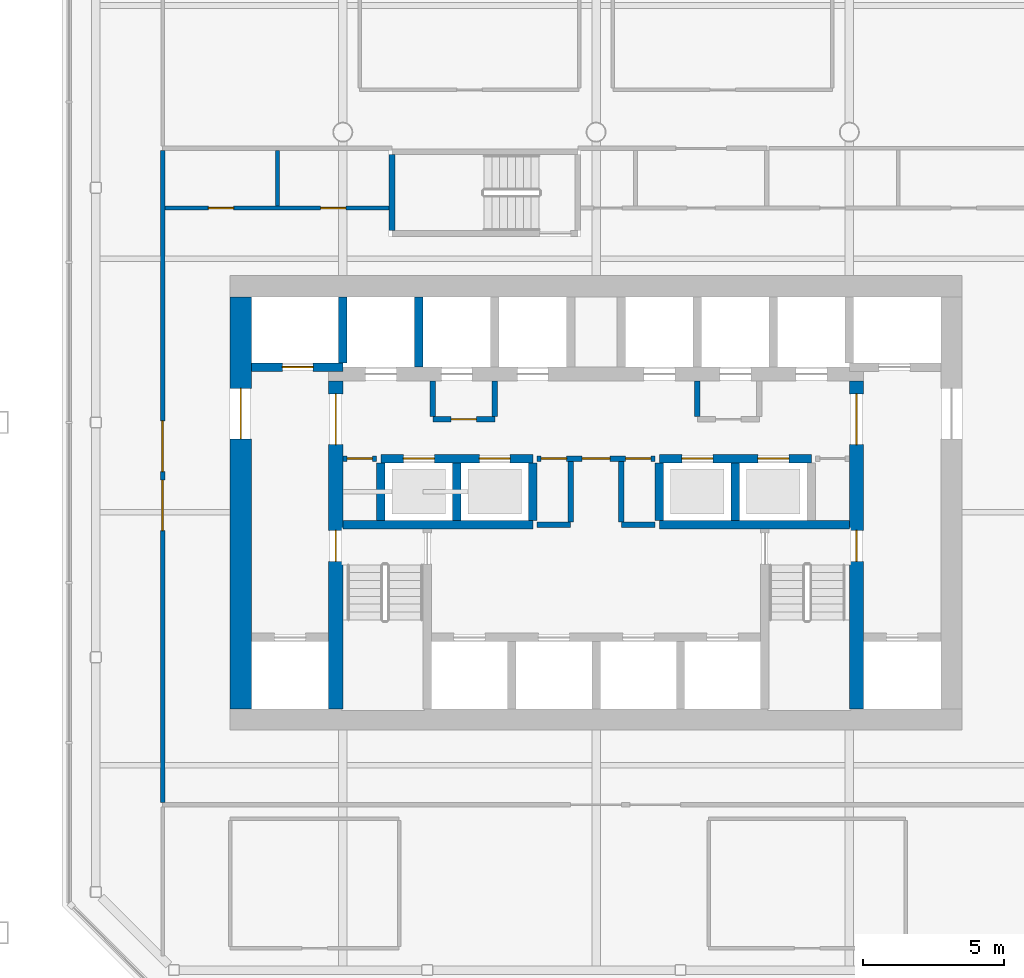
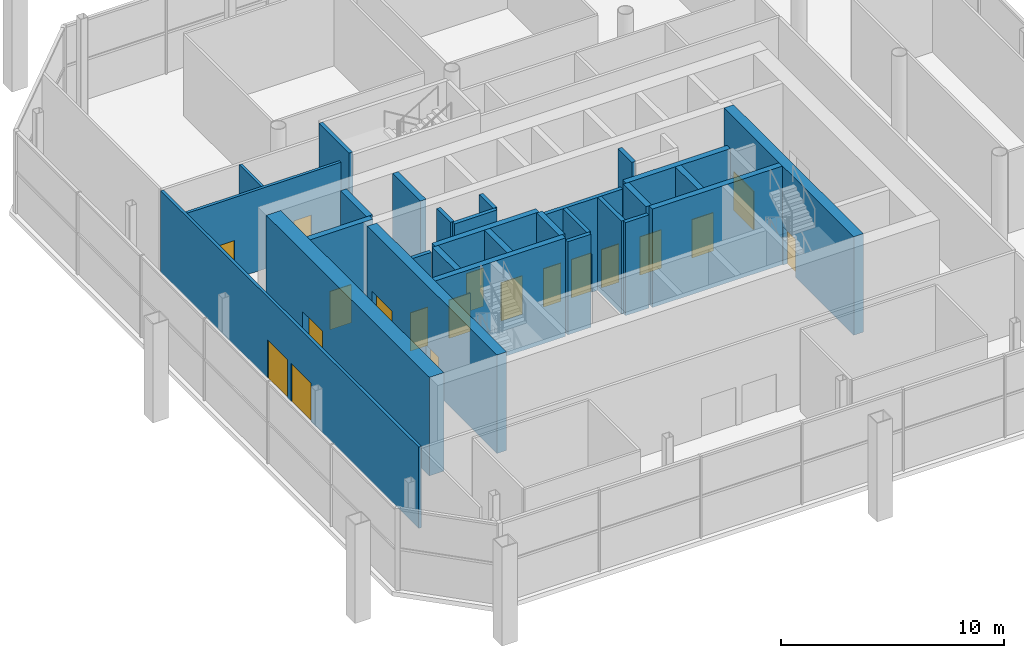
# One storey, part 8 of 12: 29 walls, 19 doors, 19 openings.
"""IFC4 building model written with IfcOpenShell, lengths in metres."""

from ifc_helpers import new_model, si_unit, direction, frame, frame_2d, origin, place, context, subcontext, project, spatial, rectangle, extrude, material, layer, layer_set, type_object, element, fill, save


model = new_model("IFC4")

# Units and contexts
model_context = context("Model", 3, precision=1e-05, world=origin(), true_north=direction((0.0, 1.0)))
body_context = subcontext(model_context, "Body", "Model", "MODEL_VIEW")
ifc_project = project(units=[si_unit("LENGTHUNIT", "METRE"), si_unit("AREAUNIT", "SQUARE_METRE"), si_unit("VOLUMEUNIT", "CUBIC_METRE"), si_unit("PLANEANGLEUNIT", "RADIAN"), si_unit("MASSUNIT", "GRAM", prefix="KILO")], contexts=[model_context])

# Site, building, storey
site_placement = place(None, origin())
site = spatial("IfcSite", under=ifc_project, at=site_placement, CompositionType="ELEMENT")
building_placement = place(site_placement, origin())
building = spatial("IfcBuilding", under=site, at=building_placement, Name="Tskaro Facet Tower", CompositionType="ELEMENT")
storey_placement = place(building_placement, frame((0.0, 0.0, 162.300048828125)))
storey = spatial("IfcBuildingStorey", under=building, at=storey_placement, Name="L40", CompositionType="ELEMENT", Elevation=162.300048828125)

# Walls
ifc_material_1 = material(Name="Concrete C60/75", Category="concrete")
ifc_layer_1 = layer(ifc_material_1, 0.300048828125, Name="Concrete C60/75")
ifc_layer_set_1 = layer_set([ifc_layer_1], Name="Concrete C60/75")
wall_type_1 = type_object("IfcWallType", Name="CORE-SHAFT", PredefinedType="SHEAR", material=ifc_layer_set_1)
for number, where, z_axis, x_axis, name in (
    (1, (-9.0, -4.949951171875, 0.0), (0.0, 0.0, 1.0), (1.0, 0.0, 0.0), "Shaft wall W010"),
    (2, (2.25, -4.949951171875, 0.0), (0.0, 0.0, 1.0), (1.0, 0.0, 0.0), "Shaft wall W013"),
):
    element("IfcWall", number, at=place(storey_placement, frame(where, z_axis=z_axis, x_axis=x_axis)), inside=storey, type_object=wall_type_1, Name=name, PredefinedType="SHEAR", context=body_context, shape_type="SweptSolid", body=[
        extrude(rectangle(XDim=6.75, YDim=0.300048828125, at=frame_2d((3.375, 0.0))), origin(), (0.0, 0.0, 1.0), 5.39990234375),
    ])

# Wall, openings, doors
wall_1_placement = place(storey_placement, frame((-7.64990234375, -2.60009765625, 0.0), z_axis=(0.0, 0.0, 1.0), x_axis=(1.0, 0.0, 0.0)))
wall_1 = element("IfcWall", 3, at=wall_1_placement, inside=storey, type_object=wall_type_1, Name="Shaft wall W015", PredefinedType="SHEAR", context=body_context, shape_type="SweptSolid", body=[
    extrude(rectangle(XDim=5.39990234375, YDim=0.300048828125, at=frame_2d((2.699951171875, 0.0))), origin(), (0.0, 0.0, 1.0), 5.39990234375),
])
opening_1_placement = place(wall_1_placement, frame((0.800048828125, 0.0, 0.0)))
opening_1 = element("IfcOpeningElement", 4, at=opening_1_placement, cuts=wall_1, Name="Opening LD-HB1", PredefinedType="OPENING", context=body_context, shape_type="SweptSolid", body=[
    extrude(rectangle(XDim=1.10009765625, YDim=2.10009765625, at=frame_2d((0.550048828125, 1.050048828125))), frame((0.0, 0.159912109375, 0.0), z_axis=(0.0, -1.0, 0.0), x_axis=(1.0, 0.0, 0.0)), (0.0, 0.0, 1.0), 0.320068359375),
])
opening_2_placement = place(wall_1_placement, frame((3.5, 0.0, 0.0)))
opening_2 = element("IfcOpeningElement", 5, at=opening_2_placement, cuts=wall_1, Name="Opening LD-HB2", PredefinedType="OPENING", context=body_context, shape_type="SweptSolid", body=[
    extrude(rectangle(XDim=1.10009765625, YDim=2.10009765625, at=frame_2d((0.550048828125, 1.050048828125))), frame((0.0, 0.159912109375, 0.0), z_axis=(0.0, -1.0, 0.0), x_axis=(1.0, 0.0, 0.0)), (0.0, 0.0, 1.0), 0.320068359375),
])
ifc_material_2 = material(Name="Stainless steel", Category="steel")
door_type_1 = type_object("IfcDoorType", Name="D-LANDING", OperationType="NOTDEFINED", PredefinedType="DOOR", material=ifc_material_2)
door_1_placement = place(opening_1_placement, origin())
door_1 = element("IfcDoor", 6, at=door_1_placement, inside=storey, type_object=door_type_1, Name="Landing door HB1", OperationType="DOUBLE_DOOR_SLIDING", OverallHeight=2.10009765625, OverallWidth=1.10009765625, PredefinedType="DOOR", context=body_context, shape_type="SweptSolid", body=[
    extrude(rectangle(XDim=1.10009765625, YDim=2.10009765625, at=frame_2d((0.550048828125, 1.050048828125))), frame((0.0, 0.02490234375, 0.0), z_axis=(0.0, -1.0, 0.0), x_axis=(1.0, 0.0, 0.0)), (0.0, 0.0, 1.0), 0.050048828125),
])
fill(opening_1, door_1)
door_2_placement = place(opening_2_placement, origin())
door_2 = element("IfcDoor", 7, at=door_2_placement, inside=storey, type_object=door_type_1, Name="Landing door HB2", OperationType="DOUBLE_DOOR_SLIDING", OverallHeight=2.10009765625, OverallWidth=1.10009765625, PredefinedType="DOOR", context=body_context, shape_type="SweptSolid", body=[
    extrude(rectangle(XDim=1.10009765625, YDim=2.10009765625, at=frame_2d((0.550048828125, 1.050048828125))), frame((0.0, 0.02490234375, 0.0), z_axis=(0.0, -1.0, 0.0), x_axis=(1.0, 0.0, 0.0)), (0.0, 0.0, 1.0), 0.050048828125),
])
fill(opening_2, door_2)

wall_2_placement = place(storey_placement, frame((2.25, -2.60009765625, 0.0), z_axis=(0.0, 0.0, 1.0), x_axis=(1.0, 0.0, 0.0)))
wall_2 = element("IfcWall", 8, at=wall_2_placement, inside=storey, type_object=wall_type_1, Name="Shaft wall W017", PredefinedType="SHEAR", context=body_context, shape_type="SweptSolid", body=[
    extrude(rectangle(XDim=5.39990234375, YDim=0.300048828125, at=frame_2d((2.699951171875, 0.0))), origin(), (0.0, 0.0, 1.0), 5.39990234375),
])
opening_3_placement = place(wall_2_placement, frame((0.800048828125, 0.0, 0.0)))
opening_3 = element("IfcOpeningElement", 9, at=opening_3_placement, cuts=wall_2, Name="Opening LD-HB3", PredefinedType="OPENING", context=body_context, shape_type="SweptSolid", body=[
    extrude(rectangle(XDim=1.10009765625, YDim=2.10009765625, at=frame_2d((0.550048828125, 1.050048828125))), frame((0.0, 0.159912109375, 0.0), z_axis=(0.0, -1.0, 0.0), x_axis=(1.0, 0.0, 0.0)), (0.0, 0.0, 1.0), 0.320068359375),
])
opening_4_placement = place(wall_2_placement, frame((3.5, 0.0, 0.0)))
opening_4 = element("IfcOpeningElement", 10, at=opening_4_placement, cuts=wall_2, Name="Opening LD-HB4", PredefinedType="OPENING", context=body_context, shape_type="SweptSolid", body=[
    extrude(rectangle(XDim=1.10009765625, YDim=2.10009765625, at=frame_2d((0.550048828125, 1.050048828125))), frame((0.0, 0.159912109375, 0.0), z_axis=(0.0, -1.0, 0.0), x_axis=(1.0, 0.0, 0.0)), (0.0, 0.0, 1.0), 0.320068359375),
])
door_3_placement = place(opening_3_placement, origin())
door_3 = element("IfcDoor", 11, at=door_3_placement, inside=storey, type_object=door_type_1, Name="Landing door HB3", OperationType="DOUBLE_DOOR_SLIDING", OverallHeight=2.10009765625, OverallWidth=1.10009765625, PredefinedType="DOOR", context=body_context, shape_type="SweptSolid", body=[
    extrude(rectangle(XDim=1.10009765625, YDim=2.10009765625, at=frame_2d((0.550048828125, 1.050048828125))), frame((0.0, 0.02490234375, 0.0), z_axis=(0.0, -1.0, 0.0), x_axis=(1.0, 0.0, 0.0)), (0.0, 0.0, 1.0), 0.050048828125),
])
fill(opening_3, door_3)
door_4_placement = place(opening_4_placement, origin())
door_4 = element("IfcDoor", 12, at=door_4_placement, inside=storey, type_object=door_type_1, Name="Landing door HB4", OperationType="DOUBLE_DOOR_SLIDING", OverallHeight=2.10009765625, OverallWidth=1.10009765625, PredefinedType="DOOR", context=body_context, shape_type="SweptSolid", body=[
    extrude(rectangle(XDim=1.10009765625, YDim=2.10009765625, at=frame_2d((0.550048828125, 1.050048828125))), frame((0.0, 0.02490234375, 0.0), z_axis=(0.0, -1.0, 0.0), x_axis=(1.0, 0.0, 0.0)), (0.0, 0.0, 1.0), 0.050048828125),
])
fill(opening_4, door_4)

# Wall, opening, door
wall_3_placement = place(storey_placement, frame((-9.0, 0.64990234375, 0.0), z_axis=(0.0, 0.0, 1.0), x_axis=(-1.0, 0.0, 0.0)))
wall_3 = element("IfcWall", 13, at=wall_3_placement, inside=storey, type_object=wall_type_1, Name="Shaft wall W021", PredefinedType="SHEAR", context=body_context, shape_type="SweptSolid", body=[
    extrude(rectangle(XDim=3.25, YDim=0.300048828125, at=frame_2d((1.625, 0.0))), origin(), (0.0, 0.0, 1.0), 5.39990234375),
])
opening_5_placement = place(wall_3_placement, frame((1.050048828125, 0.0, 0.0)))
opening_5 = element("IfcOpeningElement", 14, at=opening_5_placement, cuts=wall_3, Name="Opening LD-SHWN", PredefinedType="OPENING", context=body_context, shape_type="SweptSolid", body=[
    extrude(rectangle(XDim=1.10009765625, YDim=2.10009765625, at=frame_2d((0.550048828125, 1.050048828125))), frame((0.0, 0.159912109375, 0.0), z_axis=(0.0, -1.0, 0.0), x_axis=(1.0, 0.0, 0.0)), (0.0, 0.0, 1.0), 0.320068359375),
])
door_5_placement = place(opening_5_placement, origin())
door_5 = element("IfcDoor", 15, at=door_5_placement, inside=storey, type_object=door_type_1, Name="Landing door shuttle W2", OperationType="DOUBLE_DOOR_SLIDING", OverallHeight=2.10009765625, OverallWidth=1.10009765625, PredefinedType="DOOR", context=body_context, shape_type="SweptSolid", body=[
    extrude(rectangle(XDim=1.10009765625, YDim=2.10009765625, at=frame_2d((0.550048828125, 1.050048828125))), frame((0.0, 0.02490234375, 0.0), z_axis=(0.0, -1.0, 0.0), x_axis=(1.0, 0.0, 0.0)), (0.0, 0.0, 1.0), 0.050048828125),
])
fill(opening_5, door_5)

# Walls
wall_4_placement = place(storey_placement, frame((-9.0, 0.800048828125, 0.0), z_axis=(0.0, 0.0, 1.0), x_axis=(0.0, 1.0, 0.0)))
element("IfcWall", 16, at=wall_4_placement, inside=storey, type_object=wall_type_1, Name="Shaft wall W041", PredefinedType="SHEAR", context=body_context, shape_type="SweptSolid", body=[
    extrude(rectangle(XDim=2.349853515625, YDim=0.300048828125, at=frame_2d((1.1748046875, 0.0))), origin(), (0.0, 0.0, 1.0), 5.39990234375),
])
wall_5_placement = place(storey_placement, frame((-7.64990234375, -4.800048828125, 0.0), z_axis=(0.0, 0.0, 1.0), x_axis=(0.0, 1.0, 0.0)))
element("IfcWall", 17, at=wall_5_placement, inside=storey, type_object=wall_type_1, Name="Shaft wall W043", PredefinedType="SHEAR", context=body_context, shape_type="SweptSolid", body=[
    extrude(rectangle(XDim=2.050048828125, YDim=0.300048828125, at=frame_2d((1.02490234375, 0.0))), origin(), (0.0, 0.0, 1.0), 5.39990234375),
])
wall_6_placement = place(storey_placement, frame((-6.300048828125, 0.64990234375, 0.0), z_axis=(0.0, 0.0, 1.0), x_axis=(0.0, 1.0, 0.0)))
element("IfcWall", 18, at=wall_6_placement, inside=storey, type_object=wall_type_1, Name="Shaft wall W046", PredefinedType="SHEAR", context=body_context, shape_type="SweptSolid", body=[
    extrude(rectangle(XDim=2.5, YDim=0.300048828125, at=frame_2d((1.25, 0.0))), origin(), (0.0, 0.0, 1.0), 5.39990234375),
])
for number, where, z_axis, x_axis, name in (
    (19, (-4.949951171875, -4.800048828125, 0.0), (0.0, 0.0, 1.0), (0.0, 1.0, 0.0), "Shaft wall W049"),
    (20, (-2.25, -4.800048828125, 0.0), (0.0, 0.0, 1.0), (0.0, 1.0, 0.0), "Shaft wall W053"),
    (21, (2.25, -4.800048828125, 0.0), (0.0, 0.0, 1.0), (0.0, 1.0, 0.0), "Shaft wall W063"),
    (22, (4.949951171875, -4.800048828125, 0.0), (0.0, 0.0, 1.0), (0.0, 1.0, 0.0), "Shaft wall W068"),
):
    element("IfcWall", number, at=place(storey_placement, frame(where, z_axis=z_axis, x_axis=x_axis)), inside=storey, type_object=wall_type_1, Name=name, PredefinedType="SHEAR", context=body_context, shape_type="SweptSolid", body=[
        extrude(rectangle(XDim=2.050048828125, YDim=0.300048828125, at=frame_2d((1.02490234375, 0.0))), origin(), (0.0, 0.0, 1.0), 5.39990234375),
    ])
ifc_material_3 = material(Name="Concrete C20/25", Category="concrete")
ifc_layer_2 = layer(ifc_material_3, 0.199951171875, Name="Concrete C20/25")
ifc_layer_set_2 = layer_set([ifc_layer_2], Name="Concrete C20/25")
wall_type_2 = type_object("IfcWallType", Name="CORE-WALL", PredefinedType="SOLIDWALL", material=ifc_layer_set_2)
for number, where, z_axis, x_axis, name in (
    (23, (-2.10009765625, -4.949951171875, 0.0), (0.0, 0.0, 1.0), (1.0, 0.0, 0.0), "Core room wall W011"),
    (24, (0.89990234375, -4.949951171875, 0.0), (0.0, 0.0, 1.0), (1.0, 0.0, 0.0), "Core room wall W012"),
):
    element("IfcWall", number, at=place(storey_placement, frame(where, z_axis=z_axis, x_axis=x_axis)), inside=storey, type_object=wall_type_2, Name=name, PredefinedType="SOLIDWALL", context=body_context, shape_type="SweptSolid", body=[
        extrude(rectangle(XDim=1.2001953125, YDim=0.199951171875, at=frame_2d((0.60009765625, 0.0))), origin(), (0.0, 0.0, 1.0), 5.099853515625),
    ])

# Wall, opening, door
wall_7_placement = place(storey_placement, frame((-7.800048828125, -2.60009765625, 0.0), z_axis=(0.0, 0.0, 1.0), x_axis=(-1.0, 0.0, 0.0)))
wall_7 = element("IfcWall", 25, at=wall_7_placement, inside=storey, type_object=wall_type_2, Name="Core room wall W014", PredefinedType="SOLIDWALL", context=body_context, shape_type="SweptSolid", body=[
    extrude(rectangle(XDim=1.199951171875, YDim=0.199951171875, at=frame_2d((0.60009765625, 0.0))), origin(), (0.0, 0.0, 1.0), 5.099853515625),
])
opening_6_placement = place(wall_7_placement, frame((0.14990234375, 0.0, 0.0)))
opening_6 = element("IfcOpeningElement", 26, at=opening_6_placement, cuts=wall_7, Name="Opening S40-D08", PredefinedType="OPENING", context=body_context, shape_type="SweptSolid", body=[
    extrude(rectangle(XDim=0.89990234375, YDim=2.10009765625, at=frame_2d((0.449951171875, 1.050048828125))), frame((0.0, 0.10986328125, 0.0), z_axis=(0.0, -1.0, 0.0), x_axis=(1.0, 0.0, 0.0)), (0.0, 0.0, 1.0), 0.219970703125),
])
ifc_material_4 = material(Name="Timber", Category="wood")
door_type_2 = type_object("IfcDoorType", Name="D-ROOM", OperationType="NOTDEFINED", PredefinedType="DOOR", material=ifc_material_4)
door_6_placement = place(opening_6_placement, origin())
door_6 = element("IfcDoor", 27, at=door_6_placement, inside=storey, type_object=door_type_2, Name="Door S40-D08", OperationType="SINGLE_SWING_RIGHT", OverallHeight=2.10009765625, OverallWidth=0.89990234375, PredefinedType="DOOR", context=body_context, shape_type="SweptSolid", body=[
    extrude(rectangle(XDim=0.89990234375, YDim=2.10009765625, at=frame_2d((0.449951171875, 1.050048828125))), frame((0.0, 0.02490234375, 0.0), z_axis=(0.0, -1.0, 0.0), x_axis=(1.0, 0.0, 0.0)), (0.0, 0.0, 1.0), 0.050048828125),
])
fill(opening_6, door_6)

# Wall, openings, doors
wall_8_placement = place(storey_placement, frame((2.10009765625, -2.60009765625, 0.0), z_axis=(0.0, 0.0, 1.0), x_axis=(-1.0, 0.0, 0.0)))
wall_8 = element("IfcWall", 28, at=wall_8_placement, inside=storey, type_object=wall_type_2, Name="Core room wall W016", PredefinedType="SOLIDWALL", context=body_context, shape_type="SweptSolid", body=[
    extrude(rectangle(XDim=4.2001953125, YDim=0.199951171875, at=frame_2d((2.10009765625, 0.0))), origin(), (0.0, 0.0, 1.0), 5.099853515625),
])
opening_7_placement = place(wall_8_placement, frame((1.60009765625, 0.0, 0.0)))
opening_7 = element("IfcOpeningElement", 29, at=opening_7_placement, cuts=wall_8, Name="Opening FL-D1", PredefinedType="OPENING", context=body_context, shape_type="SweptSolid", body=[
    extrude(rectangle(XDim=1.0, YDim=2.10009765625, at=frame_2d((0.5, 1.050048828125))), frame((0.0, 0.10986328125, 0.0), z_axis=(0.0, -1.0, 0.0), x_axis=(1.0, 0.0, 0.0)), (0.0, 0.0, 1.0), 0.219970703125),
])
opening_8_placement = place(wall_8_placement, frame((3.14990234375, 0.0, 0.0)))
opening_8 = element("IfcOpeningElement", 30, at=opening_8_placement, cuts=wall_8, Name="Opening S40-D09", PredefinedType="OPENING", context=body_context, shape_type="SweptSolid", body=[
    extrude(rectangle(XDim=0.89990234375, YDim=2.10009765625, at=frame_2d((0.449951171875, 1.050048828125))), frame((0.0, 0.10986328125, 0.0), z_axis=(0.0, -1.0, 0.0), x_axis=(1.0, 0.0, 0.0)), (0.0, 0.0, 1.0), 0.219970703125),
])
opening_9_placement = place(wall_8_placement, frame((0.14990234375, 0.0, 0.0)))
opening_9 = element("IfcOpeningElement", 31, at=opening_9_placement, cuts=wall_8, Name="Opening S40-D10", PredefinedType="OPENING", context=body_context, shape_type="SweptSolid", body=[
    extrude(rectangle(XDim=0.89990234375, YDim=2.10009765625, at=frame_2d((0.449951171875, 1.050048828125))), frame((0.0, 0.10986328125, 0.0), z_axis=(0.0, -1.0, 0.0), x_axis=(1.0, 0.0, 0.0)), (0.0, 0.0, 1.0), 0.219970703125),
])
ifc_material_5 = material(Name="Steel", Category="steel")
door_type_3 = type_object("IfcDoorType", Name="D-LOBBY", OperationType="NOTDEFINED", PredefinedType="DOOR", material=ifc_material_5)
door_7_placement = place(opening_7_placement, origin())
door_7 = element("IfcDoor", 32, at=door_7_placement, inside=storey, type_object=door_type_3, Name="Lobby door FL", OperationType="SINGLE_SWING_RIGHT", OverallHeight=2.10009765625, OverallWidth=1.0, PredefinedType="DOOR", context=body_context, shape_type="SweptSolid", body=[
    extrude(rectangle(XDim=1.0, YDim=2.10009765625, at=frame_2d((0.5, 1.050048828125))), frame((0.0, 0.02490234375, 0.0), z_axis=(0.0, -1.0, 0.0), x_axis=(1.0, 0.0, 0.0)), (0.0, 0.0, 1.0), 0.050048828125),
])
fill(opening_7, door_7)
door_8_placement = place(opening_8_placement, origin())
door_8 = element("IfcDoor", 33, at=door_8_placement, inside=storey, type_object=door_type_2, Name="Door S40-D09", OperationType="SINGLE_SWING_RIGHT", OverallHeight=2.10009765625, OverallWidth=0.89990234375, PredefinedType="DOOR", context=body_context, shape_type="SweptSolid", body=[
    extrude(rectangle(XDim=0.89990234375, YDim=2.10009765625, at=frame_2d((0.449951171875, 1.050048828125))), frame((0.0, 0.02490234375, 0.0), z_axis=(0.0, -1.0, 0.0), x_axis=(1.0, 0.0, 0.0)), (0.0, 0.0, 1.0), 0.050048828125),
])
fill(opening_8, door_8)
door_9_placement = place(opening_9_placement, origin())
door_9 = element("IfcDoor", 34, at=door_9_placement, inside=storey, type_object=door_type_2, Name="Door S40-D10", OperationType="SINGLE_SWING_RIGHT", OverallHeight=2.10009765625, OverallWidth=0.89990234375, PredefinedType="DOOR", context=body_context, shape_type="SweptSolid", body=[
    extrude(rectangle(XDim=0.89990234375, YDim=2.10009765625, at=frame_2d((0.449951171875, 1.050048828125))), frame((0.0, 0.02490234375, 0.0), z_axis=(0.0, -1.0, 0.0), x_axis=(1.0, 0.0, 0.0)), (0.0, 0.0, 1.0), 0.050048828125),
])
fill(opening_9, door_9)

# Wall, opening, door
wall_9_placement = place(storey_placement, frame((-5.800048828125, -1.199951171875, 0.0), z_axis=(0.0, 0.0, 1.0), x_axis=(1.0, 0.0, 0.0)))
wall_9 = element("IfcWall", 35, at=wall_9_placement, inside=storey, type_object=wall_type_2, Name="Core room wall W019", PredefinedType="SOLIDWALL", context=body_context, shape_type="SweptSolid", body=[
    extrude(rectangle(XDim=2.199951171875, YDim=0.199951171875, at=frame_2d((1.10009765625, 0.0))), origin(), (0.0, 0.0, 1.0), 5.099853515625),
])
opening_10_placement = place(wall_9_placement, frame((0.64990234375, 0.0, 0.0)))
opening_10 = element("IfcOpeningElement", 36, at=opening_10_placement, cuts=wall_9, Name="Opening S40-D15", PredefinedType="OPENING", context=body_context, shape_type="SweptSolid", body=[
    extrude(rectangle(XDim=0.89990234375, YDim=2.10009765625, at=frame_2d((0.449951171875, 1.050048828125))), frame((0.0, 0.10986328125, 0.0), z_axis=(0.0, -1.0, 0.0), x_axis=(1.0, 0.0, 0.0)), (0.0, 0.0, 1.0), 0.219970703125),
])
door_10_placement = place(opening_10_placement, origin())
door_10 = element("IfcDoor", 37, at=door_10_placement, inside=storey, type_object=door_type_2, Name="Door S40-D15", OperationType="SINGLE_SWING_LEFT", OverallHeight=2.10009765625, OverallWidth=0.89990234375, PredefinedType="DOOR", context=body_context, shape_type="SweptSolid", body=[
    extrude(rectangle(XDim=0.89990234375, YDim=2.10009765625, at=frame_2d((0.449951171875, 1.050048828125))), frame((0.0, 0.02490234375, 0.0), z_axis=(0.0, -1.0, 0.0), x_axis=(1.0, 0.0, 0.0)), (0.0, 0.0, 1.0), 0.050048828125),
])
fill(opening_10, door_10)

# Walls
for number, where, z_axis, x_axis, name in (
    (38, (-5.800048828125, -1.10009765625, 0.0), (0.0, 0.0, 1.0), (0.0, 1.0, 0.0), "Core room wall W048"),
    (39, (-3.60009765625, -1.10009765625, 0.0), (0.0, 0.0, 1.0), (0.0, 1.0, 0.0), "Core room wall W050"),
):
    element("IfcWall", number, at=place(storey_placement, frame(where, z_axis=z_axis, x_axis=x_axis)), inside=storey, type_object=wall_type_2, Name=name, PredefinedType="SOLIDWALL", context=body_context, shape_type="SweptSolid", body=[
        extrude(rectangle(XDim=1.25, YDim=0.199951171875, at=frame_2d((0.625, 0.0))), origin(), (0.0, 0.0, 1.0), 5.099853515625),
    ])
for number, where, z_axis, x_axis, name in (
    (40, (-0.89990234375, -4.85009765625, 0.0), (0.0, 0.0, 1.0), (0.0, 1.0, 0.0), "Core room wall W054"),
    (41, (0.89990234375, -4.85009765625, 0.0), (0.0, 0.0, 1.0), (0.0, 1.0, 0.0), "Core room wall W060"),
):
    element("IfcWall", number, at=place(storey_placement, frame(where, z_axis=z_axis, x_axis=x_axis)), inside=storey, type_object=wall_type_2, Name=name, PredefinedType="SOLIDWALL", context=body_context, shape_type="SweptSolid", body=[
        extrude(rectangle(XDim=2.150146484375, YDim=0.199951171875, at=frame_2d((1.0751953125, 0.0))), origin(), (0.0, 0.0, 1.0), 5.099853515625),
    ])
wall_10_placement = place(storey_placement, frame((3.60009765625, -1.10009765625, 0.0), z_axis=(0.0, 0.0, 1.0), x_axis=(0.0, 1.0, 0.0)))
element("IfcWall", 42, at=wall_10_placement, inside=storey, type_object=wall_type_2, Name="Core room wall W065", PredefinedType="SOLIDWALL", context=body_context, shape_type="SweptSolid", body=[
    extrude(rectangle(XDim=1.25, YDim=0.199951171875, at=frame_2d((0.625, 0.0))), origin(), (0.0, 0.0, 1.0), 5.099853515625),
])

# Wall, openings, doors
ifc_material_6 = material(Name="Concrete C40/50", Category="concrete")
ifc_layer_3 = layer(ifc_material_6, 0.5, Name="Concrete C40/50")
ifc_layer_set_3 = layer_set([ifc_layer_3], Name="Concrete C40/50")
wall_type_3 = type_object("IfcWallType", Name="Core wall 500", PredefinedType="SHEAR", material=ifc_layer_set_3)
wall_11_placement = place(storey_placement, frame((-9.25, -11.5, 0.0), z_axis=(0.0, 0.0, 1.0), x_axis=(0.0, 1.0, 0.0)))
wall_11 = element("IfcWall", 43, at=wall_11_placement, inside=storey, type_object=wall_type_3, Name="Core wall CW-Z3W", PredefinedType="SHEAR", context=body_context, shape_type="SweptSolid", body=[
    extrude(rectangle(XDim=11.64990234375, YDim=0.5, at=frame_2d((5.824951171875, 0.0))), origin(), (0.0, 0.0, 1.0), 5.39990234375),
])
opening_11_placement = place(wall_11_placement, frame((9.39990234375, 0.0, 0.0)))
opening_11 = element("IfcOpeningElement", 44, at=opening_11_placement, cuts=wall_11, Name="Opening S40-D14", PredefinedType="OPENING", context=body_context, shape_type="SweptSolid", body=[
    extrude(rectangle(XDim=1.800048828125, YDim=2.10009765625, at=frame_2d((0.89990234375, 1.050048828125))), frame((0.0, 0.260009765625, 0.0), z_axis=(0.0, -1.0, 0.0), x_axis=(1.0, 0.0, 0.0)), (0.0, 0.0, 1.0), 0.52001953125),
])
opening_12_placement = place(wall_11_placement, frame((5.25, 0.0, 0.0)))
opening_12 = element("IfcOpeningElement", 45, at=opening_12_placement, cuts=wall_11, Name="Opening ST-1-D2", PredefinedType="OPENING", context=body_context, shape_type="SweptSolid", body=[
    extrude(rectangle(XDim=1.10009765625, YDim=2.10009765625, at=frame_2d((0.550048828125, 1.050048828125))), frame((0.0, 0.260009765625, 0.0), z_axis=(0.0, -1.0, 0.0), x_axis=(1.0, 0.0, 0.0)), (0.0, 0.0, 1.0), 0.52001953125),
])
door_type_4 = type_object("IfcDoorType", Name="D-CORE-PAIR", OperationType="NOTDEFINED", PredefinedType="DOOR", material=ifc_material_5)
door_11_placement = place(opening_11_placement, origin())
door_11 = element("IfcDoor", 46, at=door_11_placement, inside=storey, type_object=door_type_4, Name="Door S40-D14", OperationType="DOUBLE_DOOR_SINGLE_SWING", OverallHeight=2.10009765625, OverallWidth=1.800048828125, PredefinedType="DOOR", context=body_context, shape_type="SweptSolid", body=[
    extrude(rectangle(XDim=1.800048828125, YDim=2.10009765625, at=frame_2d((0.89990234375, 1.050048828125))), frame((0.0, 0.02490234375, 0.0), z_axis=(0.0, -1.0, 0.0), x_axis=(1.0, 0.0, 0.0)), (0.0, 0.0, 1.0), 0.050048828125),
])
fill(opening_11, door_11)
door_type_5 = type_object("IfcDoorType", Name="D-STAIR", OperationType="NOTDEFINED", PredefinedType="DOOR", material=ifc_material_5)
door_12_placement = place(opening_12_placement, origin())
door_12 = element("IfcDoor", 47, at=door_12_placement, inside=storey, type_object=door_type_5, Name="Stair door 1 west", OperationType="SINGLE_SWING_LEFT", OverallHeight=2.10009765625, OverallWidth=1.10009765625, PredefinedType="DOOR", context=body_context, shape_type="SweptSolid", body=[
    extrude(rectangle(XDim=1.10009765625, YDim=2.10009765625, at=frame_2d((0.550048828125, 1.050048828125))), frame((0.0, 0.02490234375, 0.0), z_axis=(0.0, -1.0, 0.0), x_axis=(1.0, 0.0, 0.0)), (0.0, 0.0, 1.0), 0.050048828125),
])
fill(opening_12, door_12)

wall_12_placement = place(storey_placement, frame((9.25, -11.5, 0.0), z_axis=(0.0, 0.0, 1.0), x_axis=(0.0, 1.0, 0.0)))
wall_12 = element("IfcWall", 48, at=wall_12_placement, inside=storey, type_object=wall_type_3, Name="Core wall CW-Z3E", PredefinedType="SHEAR", context=body_context, shape_type="SweptSolid", body=[
    extrude(rectangle(XDim=11.64990234375, YDim=0.5, at=frame_2d((5.824951171875, 0.0))), origin(), (0.0, 0.0, 1.0), 5.39990234375),
])
opening_13_placement = place(wall_12_placement, frame((9.39990234375, 0.0, 0.0)))
opening_13 = element("IfcOpeningElement", 49, at=opening_13_placement, cuts=wall_12, Name="Opening S40-D17", PredefinedType="OPENING", context=body_context, shape_type="SweptSolid", body=[
    extrude(rectangle(XDim=1.800048828125, YDim=2.10009765625, at=frame_2d((0.89990234375, 1.050048828125))), frame((0.0, 0.260009765625, 0.0), z_axis=(0.0, -1.0, 0.0), x_axis=(1.0, 0.0, 0.0)), (0.0, 0.0, 1.0), 0.52001953125),
])
opening_14_placement = place(wall_12_placement, frame((5.25, 0.0, 0.0)))
opening_14 = element("IfcOpeningElement", 50, at=opening_14_placement, cuts=wall_12, Name="Opening ST-2-D2", PredefinedType="OPENING", context=body_context, shape_type="SweptSolid", body=[
    extrude(rectangle(XDim=1.10009765625, YDim=2.10009765625, at=frame_2d((0.550048828125, 1.050048828125))), frame((0.0, 0.260009765625, 0.0), z_axis=(0.0, -1.0, 0.0), x_axis=(1.0, 0.0, 0.0)), (0.0, 0.0, 1.0), 0.52001953125),
])
door_13_placement = place(opening_13_placement, origin())
door_13 = element("IfcDoor", 51, at=door_13_placement, inside=storey, type_object=door_type_4, Name="Door S40-D17", OperationType="DOUBLE_DOOR_SINGLE_SWING", OverallHeight=2.10009765625, OverallWidth=1.800048828125, PredefinedType="DOOR", context=body_context, shape_type="SweptSolid", body=[
    extrude(rectangle(XDim=1.800048828125, YDim=2.10009765625, at=frame_2d((0.89990234375, 1.050048828125))), frame((0.0, 0.02490234375, 0.0), z_axis=(0.0, -1.0, 0.0), x_axis=(1.0, 0.0, 0.0)), (0.0, 0.0, 1.0), 0.050048828125),
])
fill(opening_13, door_13)
door_14_placement = place(opening_14_placement, origin())
door_14 = element("IfcDoor", 52, at=door_14_placement, inside=storey, type_object=door_type_5, Name="Stair door 2 east", OperationType="SINGLE_SWING_LEFT", OverallHeight=2.10009765625, OverallWidth=1.10009765625, PredefinedType="DOOR", context=body_context, shape_type="SweptSolid", body=[
    extrude(rectangle(XDim=1.10009765625, YDim=2.10009765625, at=frame_2d((0.550048828125, 1.050048828125))), frame((0.0, 0.02490234375, 0.0), z_axis=(0.0, -1.0, 0.0), x_axis=(1.0, 0.0, 0.0)), (0.0, 0.0, 1.0), 0.050048828125),
])
fill(opening_14, door_14)

# Wall, opening, door
ifc_material_7 = material(Name="Concrete C50/60", Category="concrete")
ifc_layer_4 = layer(ifc_material_7, 0.75, Name="Concrete C50/60")
ifc_layer_set_4 = layer_set([ifc_layer_4], Name="Concrete C50/60")
wall_type_4 = type_object("IfcWallType", Name="Core wall 750", PredefinedType="SHEAR", material=ifc_layer_set_4)
wall_13_placement = place(storey_placement, frame((-12.625, -11.5, 0.0), z_axis=(0.0, 0.0, 1.0), x_axis=(0.0, 1.0, 0.0)))
wall_13 = element("IfcWall", 53, at=wall_13_placement, inside=storey, type_object=wall_type_4, Name="Core wall CW-Z2W", PredefinedType="SHEAR", context=body_context, shape_type="SweptSolid", body=[
    extrude(rectangle(XDim=14.64990234375, YDim=0.75, at=frame_2d((7.324951171875, 0.0))), origin(), (0.0, 0.0, 1.0), 5.39990234375),
])
opening_15_placement = place(wall_13_placement, frame((9.60009765625, 0.0, 0.0)))
opening_15 = element("IfcOpeningElement", 54, at=opening_15_placement, cuts=wall_13, Name="Opening S40-D18", PredefinedType="OPENING", context=body_context, shape_type="SweptSolid", body=[
    extrude(rectangle(XDim=1.800048828125, YDim=2.10009765625, at=frame_2d((0.89990234375, 1.050048828125))), frame((0.0, 0.385009765625, 0.0), z_axis=(0.0, -1.0, 0.0), x_axis=(1.0, 0.0, 0.0)), (0.0, 0.0, 1.0), 0.77001953125),
])
door_15_placement = place(opening_15_placement, origin())
door_15 = element("IfcDoor", 55, at=door_15_placement, inside=storey, type_object=door_type_4, Name="Door S40-D18", OperationType="DOUBLE_DOOR_SINGLE_SWING", OverallHeight=2.10009765625, OverallWidth=1.800048828125, PredefinedType="DOOR", context=body_context, shape_type="SweptSolid", body=[
    extrude(rectangle(XDim=1.800048828125, YDim=2.10009765625, at=frame_2d((0.89990234375, 1.050048828125))), frame((0.0, 0.02490234375, 0.0), z_axis=(0.0, -1.0, 0.0), x_axis=(1.0, 0.0, 0.0)), (0.0, 0.0, 1.0), 0.050048828125),
])
fill(opening_15, door_15)

# Wall, openings, doors
ifc_material_8 = material(Name="Gypsum board on steel studs", Category="steel")
ifc_layer_5 = layer(ifc_material_8, 0.14990234375, Name="Gypsum board on steel studs")
ifc_layer_set_5 = layer_set([ifc_layer_5], Name="Gypsum board on steel studs")
wall_type_5 = type_object("IfcWallType", Name="PART-CORR", PredefinedType="PARTITIONING", material=ifc_layer_set_5)
wall_14_placement = place(storey_placement, frame((-15.324951171875, 6.300048828125, 0.0), z_axis=(0.0, 0.0, 1.0), x_axis=(1.0, 0.0, 0.0)))
wall_14 = element("IfcWall", 56, at=wall_14_placement, inside=storey, type_object=wall_type_5, Name="Corridor wall W025", PredefinedType="PARTITIONING", context=body_context, shape_type="SweptSolid", body=[
    extrude(rectangle(XDim=7.974853515625, YDim=0.14990234375, at=frame_2d((3.9873046875, 0.0))), origin(), (0.0, 0.0, 1.0), 4.4599609375),
])
opening_16_placement = place(wall_14_placement, frame((1.550048828125, 0.0, 0.0)))
opening_16 = element("IfcOpeningElement", 57, at=opening_16_placement, cuts=wall_14, Name="Opening S40-D20", PredefinedType="OPENING", context=body_context, shape_type="SweptSolid", body=[
    extrude(rectangle(XDim=0.89990234375, YDim=2.10009765625, at=frame_2d((0.449951171875, 1.050048828125))), frame((0.0, 0.0849609375, 0.0), z_axis=(0.0, -1.0, 0.0), x_axis=(1.0, 0.0, 0.0)), (0.0, 0.0, 1.0), 0.169921875),
])
opening_17_placement = place(wall_14_placement, frame((5.53759765625, 0.0, 0.0)))
opening_17 = element("IfcOpeningElement", 58, at=opening_17_placement, cuts=wall_14, Name="Opening S40-D21", PredefinedType="OPENING", context=body_context, shape_type="SweptSolid", body=[
    extrude(rectangle(XDim=0.89990234375, YDim=2.10009765625, at=frame_2d((0.449951171875, 1.050048828125))), frame((0.0, 0.0849609375, 0.0), z_axis=(0.0, -1.0, 0.0), x_axis=(1.0, 0.0, 0.0)), (0.0, 0.0, 1.0), 0.169921875),
])
door_16_placement = place(opening_16_placement, origin())
door_16 = element("IfcDoor", 59, at=door_16_placement, inside=storey, type_object=door_type_2, Name="Door S40-D20", OperationType="SINGLE_SWING_LEFT", OverallHeight=2.10009765625, OverallWidth=0.89990234375, PredefinedType="DOOR", context=body_context, shape_type="SweptSolid", body=[
    extrude(rectangle(XDim=0.89990234375, YDim=2.10009765625, at=frame_2d((0.449951171875, 1.050048828125))), frame((0.0, 0.02490234375, 0.0), z_axis=(0.0, -1.0, 0.0), x_axis=(1.0, 0.0, 0.0)), (0.0, 0.0, 1.0), 0.050048828125),
])
fill(opening_16, door_16)
door_17_placement = place(opening_17_placement, origin())
door_17 = element("IfcDoor", 60, at=door_17_placement, inside=storey, type_object=door_type_2, Name="Door S40-D21", OperationType="SINGLE_SWING_LEFT", OverallHeight=2.10009765625, OverallWidth=0.89990234375, PredefinedType="DOOR", context=body_context, shape_type="SweptSolid", body=[
    extrude(rectangle(XDim=0.89990234375, YDim=2.10009765625, at=frame_2d((0.449951171875, 1.050048828125))), frame((0.0, 0.02490234375, 0.0), z_axis=(0.0, -1.0, 0.0), x_axis=(1.0, 0.0, 0.0)), (0.0, 0.0, 1.0), 0.050048828125),
])
fill(opening_17, door_17)

wall_15_placement = place(storey_placement, frame((-15.39990234375, 8.35009765625, 0.0), z_axis=(0.0, 0.0, 1.0), x_axis=(0.0, -1.0, 0.0)))
wall_15 = element("IfcWall", 61, at=wall_15_placement, inside=storey, type_object=wall_type_5, Name="Corridor wall W037", PredefinedType="PARTITIONING", context=body_context, shape_type="SweptSolid", body=[
    extrude(rectangle(XDim=23.175048828125, YDim=0.14990234375, at=frame_2d((11.58740234375, 0.0))), origin(), (0.0, 0.0, 1.0), 4.4599609375),
])
opening_18_placement = place(wall_15_placement, frame((11.71240234375, 0.0, 0.0)))
opening_18 = element("IfcOpeningElement", 62, at=opening_18_placement, cuts=wall_15, Name="Opening S40-D07", PredefinedType="OPENING", context=body_context, shape_type="SweptSolid", body=[
    extrude(rectangle(XDim=1.800048828125, YDim=2.10009765625, at=frame_2d((0.89990234375, 1.050048828125))), frame((0.0, 0.0849609375, 0.0), z_axis=(0.0, -1.0, 0.0), x_axis=(1.0, 0.0, 0.0)), (0.0, 0.0, 1.0), 0.169921875),
])
opening_19_placement = place(wall_15_placement, frame((9.612548828125, 0.0, 0.0)))
opening_19 = element("IfcOpeningElement", 63, at=opening_19_placement, cuts=wall_15, Name="Opening S40-D13", PredefinedType="OPENING", context=body_context, shape_type="SweptSolid", body=[
    extrude(rectangle(XDim=1.800048828125, YDim=2.10009765625, at=frame_2d((0.89990234375, 1.050048828125))), frame((0.0, 0.0849609375, 0.0), z_axis=(0.0, -1.0, 0.0), x_axis=(1.0, 0.0, 0.0)), (0.0, 0.0, 1.0), 0.169921875),
])
ifc_material_9 = material(Name="Glass", Category="glass")
door_type_6 = type_object("IfcDoorType", Name="D-ENTRY-PAIR", OperationType="NOTDEFINED", PredefinedType="DOOR", material=ifc_material_9)
door_18_placement = place(opening_18_placement, origin())
door_18 = element("IfcDoor", 64, at=door_18_placement, inside=storey, type_object=door_type_6, Name="Door S40-D07", OperationType="DOUBLE_DOOR_SINGLE_SWING", OverallHeight=2.10009765625, OverallWidth=1.800048828125, PredefinedType="DOOR", context=body_context, shape_type="SweptSolid", body=[
    extrude(rectangle(XDim=1.800048828125, YDim=2.10009765625, at=frame_2d((0.89990234375, 1.050048828125))), frame((0.0, 0.02490234375, 0.0), z_axis=(0.0, -1.0, 0.0), x_axis=(1.0, 0.0, 0.0)), (0.0, 0.0, 1.0), 0.050048828125),
])
fill(opening_18, door_18)
door_19_placement = place(opening_19_placement, origin())
door_19 = element("IfcDoor", 65, at=door_19_placement, inside=storey, type_object=door_type_6, Name="Door S40-D13", OperationType="DOUBLE_DOOR_SINGLE_SWING", OverallHeight=2.10009765625, OverallWidth=1.800048828125, PredefinedType="DOOR", context=body_context, shape_type="SweptSolid", body=[
    extrude(rectangle(XDim=1.800048828125, YDim=2.10009765625, at=frame_2d((0.89990234375, 1.050048828125))), frame((0.0, 0.02490234375, 0.0), z_axis=(0.0, -1.0, 0.0), x_axis=(1.0, 0.0, 0.0)), (0.0, 0.0, 1.0), 0.050048828125),
])
fill(opening_19, door_19)

# Walls
wall_16_placement = place(storey_placement, frame((-11.324951171875, 6.375, 0.0), z_axis=(0.0, 0.0, 1.0), x_axis=(0.0, 1.0, 0.0)))
element("IfcWall", 66, at=wall_16_placement, inside=storey, type_object=wall_type_5, Name="Corridor wall W040", PredefinedType="PARTITIONING", context=body_context, shape_type="SweptSolid", body=[
    extrude(rectangle(XDim=1.97509765625, YDim=0.14990234375, at=frame_2d((0.987548828125, 0.0))), origin(), (0.0, 0.0, 1.0), 4.4599609375),
])
ifc_layer_6 = layer(ifc_material_1, 0.199951171875, Name="Concrete C60/75")
ifc_layer_set_6 = layer_set([ifc_layer_6], Name="Concrete C60/75")
wall_type_6 = type_object("IfcWallType", Name="STAIR-WALL", PredefinedType="SHEAR", material=ifc_layer_set_6)
wall_17_placement = place(storey_placement, frame((-7.25, 5.5, 0.0), z_axis=(0.0, 0.0, 1.0), x_axis=(0.0, 1.0, 0.0)))
element("IfcWall", 67, at=wall_17_placement, inside=storey, type_object=wall_type_6, Name="Stair wall W044", PredefinedType="SHEAR", context=body_context, shape_type="SweptSolid", body=[
    extrude(rectangle(XDim=2.699951171875, YDim=0.199951171875, at=frame_2d((1.35009765625, 0.0))), origin(), (0.0, 0.0, 1.0), 5.39990234375),
])

save(model, "model.ifc")
